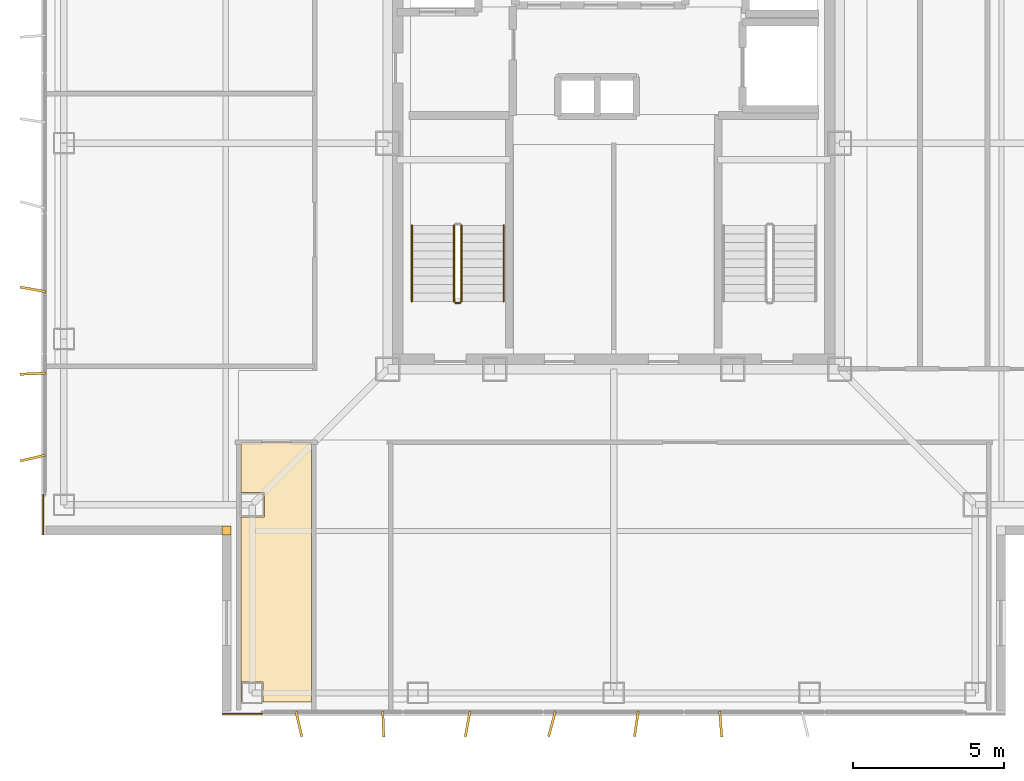
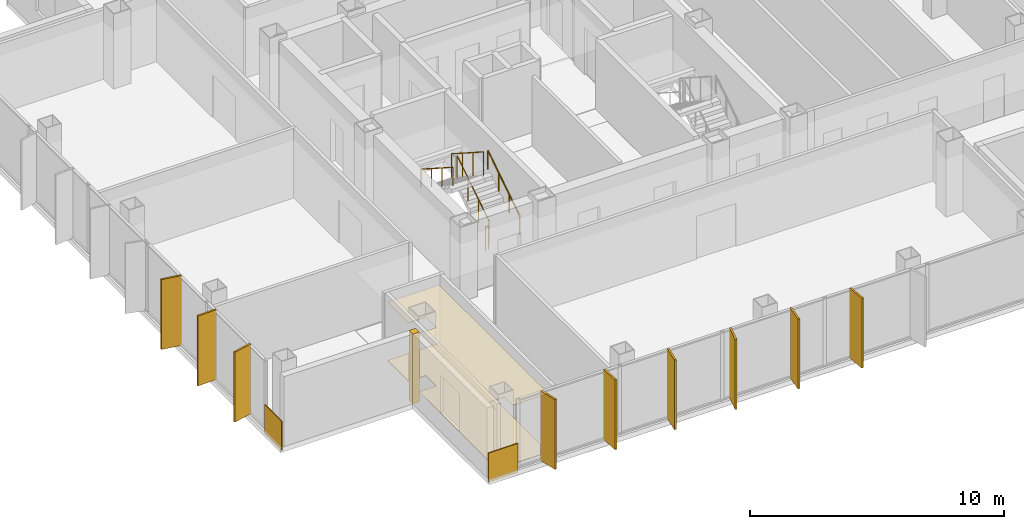
# One storey, part 10 of 15: 9 shading devices, 5 coverings, 5 railings.
"""IFC4 building model written with IfcOpenShell, lengths in metres."""

from ifc_helpers import new_model, si_unit, direction, frame, frame_2d, origin, origin_2d, place, context, subcontext, project, spatial, polyline, rectangle, circle, outline, extrude, material, layer, layer_set, type_object, element, save


model = new_model("IFC4")

# Units and contexts
model_context = context("Model", 3, precision=1e-05, world=origin(), true_north=direction((0.0, 1.0)))
body_context = subcontext(model_context, "Body", "Model", "MODEL_VIEW")
ifc_project = project(units=[si_unit("LENGTHUNIT", "METRE"), si_unit("AREAUNIT", "SQUARE_METRE"), si_unit("VOLUMEUNIT", "CUBIC_METRE"), si_unit("PLANEANGLEUNIT", "RADIAN"), si_unit("MASSUNIT", "GRAM", prefix="KILO")], contexts=[model_context])

# Site, building, storey
site_placement = place(None, origin())
site = spatial("IfcSite", under=ifc_project, at=site_placement, CompositionType="ELEMENT")
building_placement = place(site_placement, origin())
building = spatial("IfcBuilding", under=site, at=building_placement, Name="Trevonay Congress Spire", CompositionType="ELEMENT")
storey_placement = place(building_placement, frame((0.0, 0.0, 261.199951171875)))
storey = spatial("IfcBuildingStorey", under=building, at=storey_placement, Name="L68", CompositionType="ELEMENT", Elevation=261.199951171875)

# Coverings
ifc_material_1 = material(Name="Acoustic Mineral Fibre Board", Category="gypsum")
ifc_layer_1 = layer(ifc_material_1, 0.02490234375, Name="Acoustic Mineral Fibre Board")
ifc_layer_set_1 = layer_set([ifc_layer_1], Name="Acoustic Mineral Fibre Board")
covering_type_1 = type_object("IfcCoveringType", Name="COV-CEIL-ACOUSTIC", PredefinedType="CEILING", material=ifc_layer_set_1)
covering_1_placement = place(storey_placement, frame((0.0, 0.0, 2.81005859375)))
element("IfcCovering", 1, at=covering_1_placement, inside=storey, type_object=covering_type_1, Name="L68 Chef Tasting Private Dining Room acoustic suspended ceiling", PredefinedType="CEILING", context=body_context, shape_type="SweptSolid", body=[
    extrude(outline(polyline([(-12.3701171875, -18.550048828125), (-12.3701171875, -12.409912109375), (-11.590087890625, -12.409912109375), (-11.590087890625, -11.590087890625), (-12.3701171875, -11.590087890625), (-12.3701171875, -9.929931640625), (-10.030029296875, -9.929931640625), (-10.030029296875, -18.550048828125), (-11.639892578125, -18.550048828125), (-11.639892578125, -17.889892578125), (-12.360107421875, -17.889892578125), (-12.360107421875, -18.550048828125), (-12.3701171875, -18.550048828125)])), origin(), (0.0, 0.0, 1.0), 0.02490234375),
])
ifc_material_2 = material(Name="Polished Granite Floor Tile", Category="masonry")
ifc_layer_2 = layer(ifc_material_2, 0.02001953125, Name="Polished Granite Floor Tile")
ifc_layer_set_2 = layer_set([ifc_layer_2], Name="Polished Granite Floor Tile")
covering_type_2 = type_object("IfcCoveringType", Name="COV-FLOOR-STONE", PredefinedType="FLOORING", material=ifc_layer_set_2)
covering_2_placement = place(storey_placement, origin())
element("IfcCovering", 2, at=covering_2_placement, inside=storey, type_object=covering_type_2, Name="L68 Chef Tasting Private Dining Room floor finish", PredefinedType="FLOORING", context=body_context, shape_type="SweptSolid", body=[
    extrude(outline(polyline([(-12.3701171875, -18.550048828125), (-12.3701171875, -12.409912109375), (-11.590087890625, -12.409912109375), (-11.590087890625, -11.590087890625), (-12.3701171875, -11.590087890625), (-12.3701171875, -9.929931640625), (-10.030029296875, -9.929931640625), (-10.030029296875, -18.550048828125), (-11.639892578125, -18.550048828125), (-11.639892578125, -17.889892578125), (-12.360107421875, -17.889892578125), (-12.360107421875, -18.550048828125), (-12.3701171875, -18.550048828125)])), origin(), (0.0, 0.0, 1.0), 0.02001953125),
])
ifc_material_3 = material(Name="Pale Anodised Aluminium EN AW-6063-T6", Category="aluminium")
ifc_layer_3 = layer(ifc_material_3, 0.0400390625, Name="Pale Anodised Aluminium EN AW-6063-T6")
ifc_layer_set_3 = layer_set([ifc_layer_3], Name="Pale Anodised Aluminium EN AW-6063-T6")
covering_type_3 = type_object("IfcCoveringType", Name="COV-SPANDREL-PALE-METAL", PredefinedType="CLADDING", material=ifc_layer_set_3)
covering_3_placement = place(storey_placement, origin())
element("IfcCovering", 3, at=covering_3_placement, inside=storey, type_object=covering_type_3, Name="L68 SW re-entrant notch corner closure trim", PredefinedType="CLADDING", context=body_context, shape_type="SweptSolid", body=[
    extrude(outline(polyline([(-13.0, -13.0), (-12.699951171875, -13.0), (-12.699951171875, -12.699951171875), (-13.0, -12.699951171875), (-13.0, -13.0)])), origin(), (0.0, 0.0, 1.0), 3.360107421875),
])
for number, where, z_axis, x_axis, name in (
    (4, (-18.93994140625, -11.64990234375, -0.14990234375), (0.0, 0.0, 1.0), (0.0, -1.0, 0.0), "L68 SW corner pier spandrel cladding 1"),
    (5, (-11.64990234375, -18.93994140625, -0.14990234375), (0.0, 0.0, 1.0), (-1.0, 0.0, 0.0), "L68 SW corner pier spandrel cladding 2"),
):
    element("IfcCovering", number, at=place(storey_placement, frame(where, z_axis=z_axis, x_axis=x_axis)), inside=storey, type_object=covering_type_3, Name=name, PredefinedType="CLADDING", context=body_context, shape_type="SweptSolid", body=[
        extrude(rectangle(XDim=1.35009765625, YDim=0.0400390625, at=frame_2d((0.675048828125, 0.0))), origin(), (0.0, 0.0, 1.0), 1.39990234375),
    ])

# Railings
railing_type_1 = type_object("IfcRailingType", Name="RAL-STAIR-GUARD-110", PredefinedType="GUARDRAIL", material=ifc_material_3)
railing_1_placement = place(storey_placement, frame((-5.050048828125, -5.25, 0.179931640625)))
element("IfcRailing", 6, at=railing_1_placement, inside=storey, type_object=railing_type_1, Name="L68 ST-1 stair guard 1", PredefinedType="GUARDRAIL", context=body_context, shape_type="SweptSolid", body=[
    extrude(circle(Radius=0.02392578125, at=origin_2d()), frame((0.0, 0.0, 1.1259765625), z_axis=(0.0, 0.841162588446, 0.540782303519), x_axis=(-1.0, 0.0, 0.0)), (0.0, 0.0, 1.0), 2.995849609375),
    extrude(circle(Radius=0.02099609375, at=origin_2d()), origin(), (0.0, 0.0, 1.0), 1.101806640625),
    extrude(circle(Radius=0.02099609375, at=origin_2d()), frame((0.0, 0.840087890625, 0.5400390625)), (0.0, 0.0, 1.0), 1.101806640625),
    extrude(circle(Radius=0.02099609375, at=origin_2d()), frame((0.0, 1.679931640625, 1.080078125)), (0.0, 0.0, 1.0), 1.101806640625),
    extrude(circle(Radius=0.02099609375, at=origin_2d()), frame((0.0, 2.52001953125, 1.6201171875)), (0.0, 0.0, 1.0), 1.101806640625),
])
railing_2_placement = place(storey_placement, frame((-5.300048828125, -2.72998046875, 1.97998046875)))
element("IfcRailing", 7, at=railing_2_placement, inside=storey, type_object=railing_type_1, Name="L68 ST-1 stair guard 3", PredefinedType="GUARDRAIL", context=body_context, shape_type="SweptSolid", body=[
    extrude(circle(Radius=0.02392578125, at=origin_2d()), frame((0.0, 0.0, 1.1259765625), z_axis=(0.0, -0.841162588446, 0.540782303519), x_axis=(1.0, 0.0, 0.0)), (0.0, 0.0, 1.0), 2.995849609375),
    extrude(circle(Radius=0.02099609375, at=origin_2d()), origin(), (0.0, 0.0, 1.0), 1.101806640625),
    extrude(circle(Radius=0.02099609375, at=origin_2d()), frame((0.0, -0.840087890625, 0.5400390625)), (0.0, 0.0, 1.0), 1.101806640625),
    extrude(circle(Radius=0.02099609375, at=origin_2d()), frame((0.0, -1.679931640625, 1.080078125)), (0.0, 0.0, 1.0), 1.101806640625),
    extrude(circle(Radius=0.02099609375, at=origin_2d()), frame((0.0, -2.52001953125, 1.6201171875)), (0.0, 0.0, 1.0), 1.101806640625),
])
railing_3_placement = place(storey_placement, frame((-5.10009765625, -5.300048828125, 0.0)))
element("IfcRailing", 8, at=railing_3_placement, inside=storey, type_object=railing_type_1, Name="L68 ST-1 stair guard 4", PredefinedType="GUARDRAIL", context=body_context, shape_type="SweptSolid", body=[
    extrude(circle(Radius=0.02392578125, at=origin_2d()), frame((0.0, 0.0, 1.1259765625), z_axis=(-1.0, 0.0, 0.0), x_axis=(0.0, -1.0, 0.0)), (0.0, 0.0, 1.0), 0.14990234375),
    extrude(circle(Radius=0.02099609375, at=origin_2d()), origin(), (0.0, 0.0, 1.0), 1.101806640625),
    extrude(circle(Radius=0.02099609375, at=origin_2d()), frame((-0.14990234375, 0.0, 0.0)), (0.0, 0.0, 1.0), 1.101806640625),
])
railing_type_2 = type_object("IfcRailingType", Name="RAL-STAIR-HANDRAIL", PredefinedType="HANDRAIL", material=ifc_material_3)
railing_4_placement = place(storey_placement, frame((-3.64990234375, -5.25, 0.179931640625)))
element("IfcRailing", 9, at=railing_4_placement, inside=storey, type_object=railing_type_2, Name="L68 ST-1 stair handrail 1", PredefinedType="HANDRAIL", context=body_context, shape_type="SweptSolid", body=[
    extrude(circle(Radius=0.02392578125, at=origin_2d()), frame((0.0, 0.0, 0.8759765625), z_axis=(0.0, 0.841162588446, 0.540782303519), x_axis=(-1.0, 0.0, 0.0)), (0.0, 0.0, 1.0), 2.995849609375),
    extrude(circle(Radius=0.02099609375, at=origin_2d()), origin(), (0.0, 0.0, 1.0), 0.851806640625),
    extrude(circle(Radius=0.02099609375, at=origin_2d()), frame((0.0, 0.840087890625, 0.5400390625)), (0.0, 0.0, 1.0), 0.851806640625),
    extrude(circle(Radius=0.02099609375, at=origin_2d()), frame((0.0, 1.679931640625, 1.080078125)), (0.0, 0.0, 1.0), 0.851806640625),
    extrude(circle(Radius=0.02099609375, at=origin_2d()), frame((0.0, 2.52001953125, 1.6201171875)), (0.0, 0.0, 1.0), 0.851806640625),
])
railing_5_placement = place(storey_placement, frame((-6.699951171875, -2.72998046875, 1.97998046875)))
element("IfcRailing", 10, at=railing_5_placement, inside=storey, type_object=railing_type_2, Name="L68 ST-1 stair handrail 2", PredefinedType="HANDRAIL", context=body_context, shape_type="SweptSolid", body=[
    extrude(circle(Radius=0.02392578125, at=origin_2d()), frame((0.0, 0.0, 0.8759765625), z_axis=(0.0, -0.841162588446, 0.540782303519), x_axis=(1.0, 0.0, 0.0)), (0.0, 0.0, 1.0), 2.995849609375),
    extrude(circle(Radius=0.02099609375, at=origin_2d()), origin(), (0.0, 0.0, 1.0), 0.851806640625),
    extrude(circle(Radius=0.02099609375, at=origin_2d()), frame((0.0, -0.840087890625, 0.5400390625)), (0.0, 0.0, 1.0), 0.851806640625),
    extrude(circle(Radius=0.02099609375, at=origin_2d()), frame((0.0, -1.679931640625, 1.080078125)), (0.0, 0.0, 1.0), 0.851806640625),
    extrude(circle(Radius=0.02099609375, at=origin_2d()), frame((0.0, -2.52001953125, 1.6201171875)), (0.0, 0.0, 1.0), 0.851806640625),
])

# Shading devices
shading_device_type = type_object("IfcShadingDeviceType", Name="SHD-FIN-Z4-PALE-METAL", PredefinedType="USERDEFINED", material=ifc_material_3)
for number, where, z_axis, x_axis, name in (
    (11, (-10.449951171875, -19.280029296875, 0.0), (0.0, 0.0, 1.0), (0.97440931131, 0.224780991261, 0.0), "L68 S vertical pale-metal solar fin 1"),
    (12, (-7.64990234375, -19.280029296875, 0.0), (0.0, 0.0, 1.0), (0.999235873152, 0.039085416795, 0.0), "L68 S vertical pale-metal solar fin 2"),
    (13, (-4.85009765625, -19.280029296875, 0.0), (0.0, 0.0, 1.0), (0.984195607969, -0.17708474032, 0.0), "L68 S vertical pale-metal solar fin 3"),
    (14, (-2.050048828125, -19.280029296875, 0.0), (0.0, 0.0, 1.0), (0.966106280664, -0.258144638645, 0.0), "L68 S vertical pale-metal solar fin 4"),
    (15, (0.75, -19.280029296875, 0.0), (0.0, 0.0, 1.0), (0.989144474801, -0.146946275799, 0.0), "L68 S vertical pale-metal solar fin 5"),
    (16, (3.550048828125, -19.280029296875, 0.0), (0.0, 0.0, 1.0), (0.997025911491, 0.077067060513, 0.0), "L68 S vertical pale-metal solar fin 6"),
    (17, (-19.280029296875, -10.449951171875, 0.0), (0.0, 0.0, 1.0), (-0.224780991261, 0.97440931131, 0.0), "L68 W vertical pale-metal solar fin 1"),
    (18, (-19.280029296875, -7.64990234375, 0.0), (0.0, 0.0, 1.0), (-0.039085416795, 0.999235873152, 0.0), "L68 W vertical pale-metal solar fin 2"),
    (19, (-19.280029296875, -4.85009765625, 0.0), (0.0, 0.0, 1.0), (0.17708474032, 0.984195607969, 0.0), "L68 W vertical pale-metal solar fin 3"),
):
    element("IfcShadingDevice", number, at=place(storey_placement, frame(where, z_axis=z_axis, x_axis=x_axis)), inside=storey, type_object=shading_device_type, Name=name, ObjectType="SOLAR FIN", PredefinedType="USERDEFINED", context=body_context, shape_type="SweptSolid", body=[
        extrude(rectangle(XDim=0.080078125, YDim=0.85009765625, at=origin_2d()), origin(), (0.0, 0.0, 1.0), 3.360107421875),
    ])

save(model, "model.ifc")
